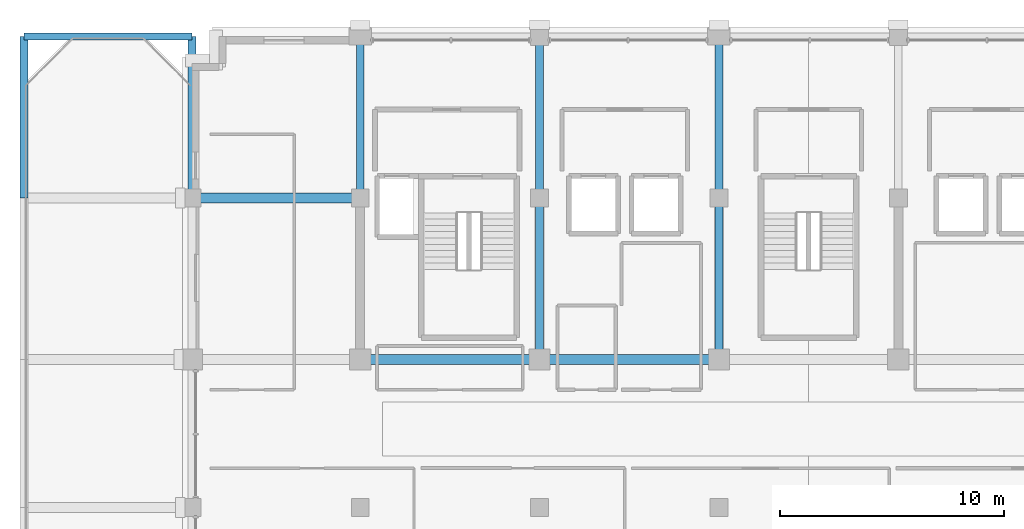
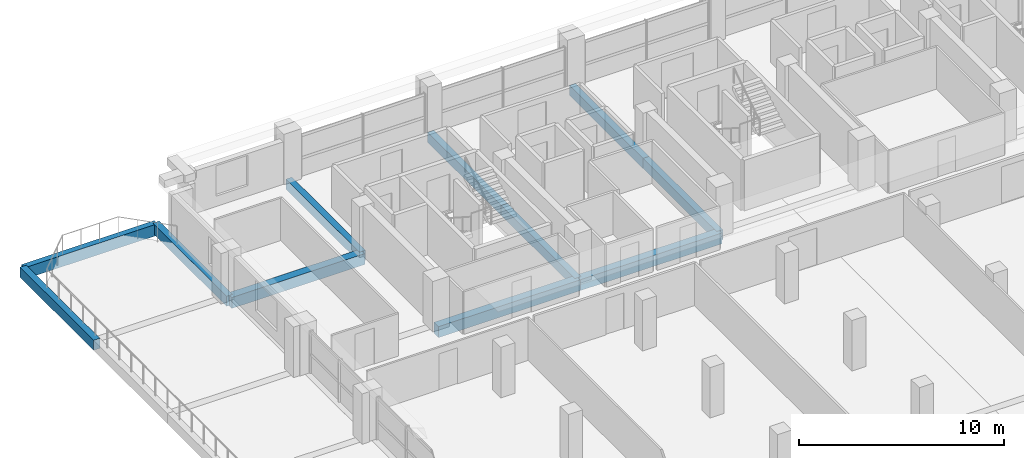
# One storey, part 11 of 22: 11 beams.
"""IFC4 building model written with IfcOpenShell, lengths in metres."""

from ifc_helpers import new_model, si_unit, direction, frame, origin, origin_2d, place, context, subcontext, project, spatial, rectangle, extrude, material, material_profile, profile_set, type_object, element, save


model = new_model("IFC4")

# Units and contexts
model_context = context("Model", 3, precision=1e-05, world=origin(), true_north=direction((0.0, 1.0)))
body_context = subcontext(model_context, "Body", "Model", "MODEL_VIEW")
ifc_project = project(units=[si_unit("LENGTHUNIT", "METRE"), si_unit("AREAUNIT", "SQUARE_METRE"), si_unit("VOLUMEUNIT", "CUBIC_METRE"), si_unit("PLANEANGLEUNIT", "RADIAN"), si_unit("MASSUNIT", "GRAM", prefix="KILO")], contexts=[model_context])

# Site, building, storey
site_placement = place(None, origin())
site = spatial("IfcSite", under=ifc_project, at=site_placement, CompositionType="ELEMENT")
building_placement = place(site_placement, origin())
building = spatial("IfcBuilding", under=site, at=building_placement, Name="Akrevak Sports Hall", CompositionType="ELEMENT")
storey_placement = place(building_placement, frame((0.0, 0.0, 40.550048828125)))
storey = spatial("IfcBuildingStorey", under=building, at=storey_placement, Name="L09", CompositionType="ELEMENT", Elevation=40.550048828125)

# Beams
ifc_material = material(Name="Concrete C40/50", Category="concrete")
ifc_material_profile_1 = material_profile(ifc_material, rectangle(XDim=0.35009765625, YDim=0.60009765625, at=origin_2d()), Name="BM 350x600", Category="concrete")
ifc_profile_set_1 = profile_set([ifc_material_profile_1], Name="Concrete C40/50")
beam_type_1 = type_object("IfcBeamType", Name="STR-BM-RC350x600", PredefinedType="BEAM", material=ifc_profile_set_1)
for number, where, z_axis, x_axis, name in (
    (1, (45.0, 62.39990234375, -0.300048828125), (0.0, 1.0, 0.0), (-1.0, 0.0, 0.0), "Girder 7/J-K (L09)"),
    (2, (52.5, 62.39990234375, -0.300048828125), (0.0, 1.0, 0.0), (-1.0, 0.0, 0.0), "Girder 8/J-K (L09)"),
    (3, (60.0, 62.39990234375, -0.300048828125), (0.0, 1.0, 0.0), (-1.0, 0.0, 0.0), "Girder 9/J-K (L09)"),
):
    element("IfcBeam", number, at=place(storey_placement, frame(where, z_axis=z_axis, x_axis=x_axis)), inside=storey, type_object=beam_type_1, Name=name, PredefinedType="BEAM", context=body_context, shape_type="SweptSolid", body=[
        extrude(rectangle(XDim=0.35009765625, YDim=0.60009765625, at=origin_2d()), origin(), (0.0, 0.0, 1.0), 7.2001953125),
    ])
beam_1_placement = place(storey_placement, frame((68.0, 55.199951171875, -0.300048828125), z_axis=(0.0, 1.0, 0.0), x_axis=(-1.0, 0.0, 0.0)))
element("IfcBeam", 4, at=beam_1_placement, inside=storey, type_object=beam_type_1, Name="Girder 10/I-J (L09)", PredefinedType="BEAM", context=body_context, shape_type="SweptSolid", body=[
    extrude(rectangle(XDim=0.35009765625, YDim=0.60009765625, at=origin_2d()), origin(), (0.0, 0.0, 1.0), 7.199951171875),
])
beam_2_placement = place(storey_placement, frame((68.0, 62.39990234375, -0.300048828125), z_axis=(0.0, 1.0, 0.0), x_axis=(-1.0, 0.0, 0.0)))
element("IfcBeam", 5, at=beam_2_placement, inside=storey, type_object=beam_type_1, Name="Girder 10/J-K (L09)", PredefinedType="BEAM", context=body_context, shape_type="SweptSolid", body=[
    extrude(rectangle(XDim=0.35009765625, YDim=0.60009765625, at=origin_2d()), origin(), (0.0, 0.0, 1.0), 7.2001953125),
])
beam_3_placement = place(storey_placement, frame((76.0, 55.199951171875, -0.300048828125), z_axis=(0.0, 1.0, 0.0), x_axis=(-1.0, 0.0, 0.0)))
element("IfcBeam", 6, at=beam_3_placement, inside=storey, type_object=beam_type_1, Name="Girder 11/I-J (L09)", PredefinedType="BEAM", context=body_context, shape_type="SweptSolid", body=[
    extrude(rectangle(XDim=0.35009765625, YDim=0.60009765625, at=origin_2d()), origin(), (0.0, 0.0, 1.0), 7.199951171875),
])
beam_4_placement = place(storey_placement, frame((76.0, 62.39990234375, -0.300048828125), z_axis=(0.0, 1.0, 0.0), x_axis=(-1.0, 0.0, 0.0)))
element("IfcBeam", 7, at=beam_4_placement, inside=storey, type_object=beam_type_1, Name="Girder 11/J-K (L09)", PredefinedType="BEAM", context=body_context, shape_type="SweptSolid", body=[
    extrude(rectangle(XDim=0.35009765625, YDim=0.60009765625, at=origin_2d()), origin(), (0.0, 0.0, 1.0), 7.2001953125),
])
ifc_material_profile_2 = material_profile(ifc_material, rectangle(XDim=0.449951171875, YDim=0.64990234375, at=origin_2d()), Name="BM 450x650", Category="concrete")
ifc_profile_set_2 = profile_set([ifc_material_profile_2], Name="Concrete C40/50")
beam_type_2 = type_object("IfcBeamType", Name="STR-BM-RC450x650", PredefinedType="BEAM", material=ifc_profile_set_2)
for number, where, z_axis, x_axis, name in (
    (8, (60.0, 55.199951171875, -0.324951171875), (1.0, 0.0, 0.0), (0.0, 1.0, 0.0), "Girder I/9-10 (L09)"),
    (9, (68.0, 55.199951171875, -0.324951171875), (1.0, 0.0, 0.0), (0.0, 1.0, 0.0), "Girder I/10-11 (L09)"),
):
    element("IfcBeam", number, at=place(storey_placement, frame(where, z_axis=z_axis, x_axis=x_axis)), inside=storey, type_object=beam_type_2, Name=name, PredefinedType="BEAM", context=body_context, shape_type="SweptSolid", body=[
        extrude(rectangle(XDim=0.449951171875, YDim=0.64990234375, at=origin_2d()), origin(), (0.0, 0.0, 1.0), 8.0),
    ])
beam_5_placement = place(storey_placement, frame((52.5, 62.39990234375, -0.324951171875), z_axis=(1.0, 0.0, 0.0), x_axis=(0.0, 1.0, 0.0)))
element("IfcBeam", 10, at=beam_5_placement, inside=storey, type_object=beam_type_2, Name="Girder J/8-9 (L09)", PredefinedType="BEAM", context=body_context, shape_type="SweptSolid", body=[
    extrude(rectangle(XDim=0.449951171875, YDim=0.64990234375, at=origin_2d()), origin(), (0.0, 0.0, 1.0), 7.5),
])
ifc_material_profile_3 = material_profile(ifc_material, rectangle(XDim=0.320068359375, YDim=0.679931640625, at=origin_2d()), Name="SPD 320x680", Category="concrete")
ifc_profile_set_3 = profile_set([ifc_material_profile_3], Name="Concrete C40/50")
beam_type_3 = type_object("IfcBeamType", Name="STR-SPD-RC320x680", PredefinedType="SPANDREL", material=ifc_profile_set_3)
beam_6_placement = place(storey_placement, frame((45.0, 69.60009765625, -0.340087890625), z_axis=(1.0, 0.0, 0.0), x_axis=(0.0, 1.0, 0.0)))
element("IfcBeam", 11, at=beam_6_placement, inside=storey, type_object=beam_type_3, Name="Girder K/7-8 (L09)", PredefinedType="SPANDREL", context=body_context, shape_type="SweptSolid", body=[
    extrude(rectangle(XDim=0.320068359375, YDim=0.679931640625, at=origin_2d()), origin(), (0.0, 0.0, 1.0), 7.5),
])

save(model, "model.ifc")
